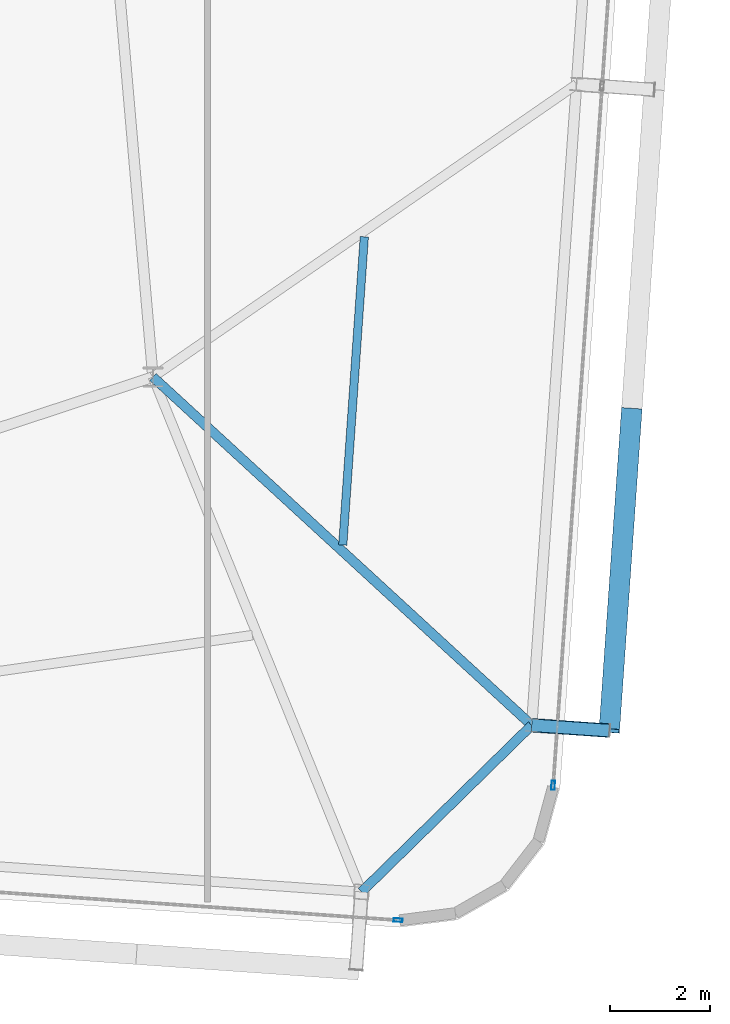
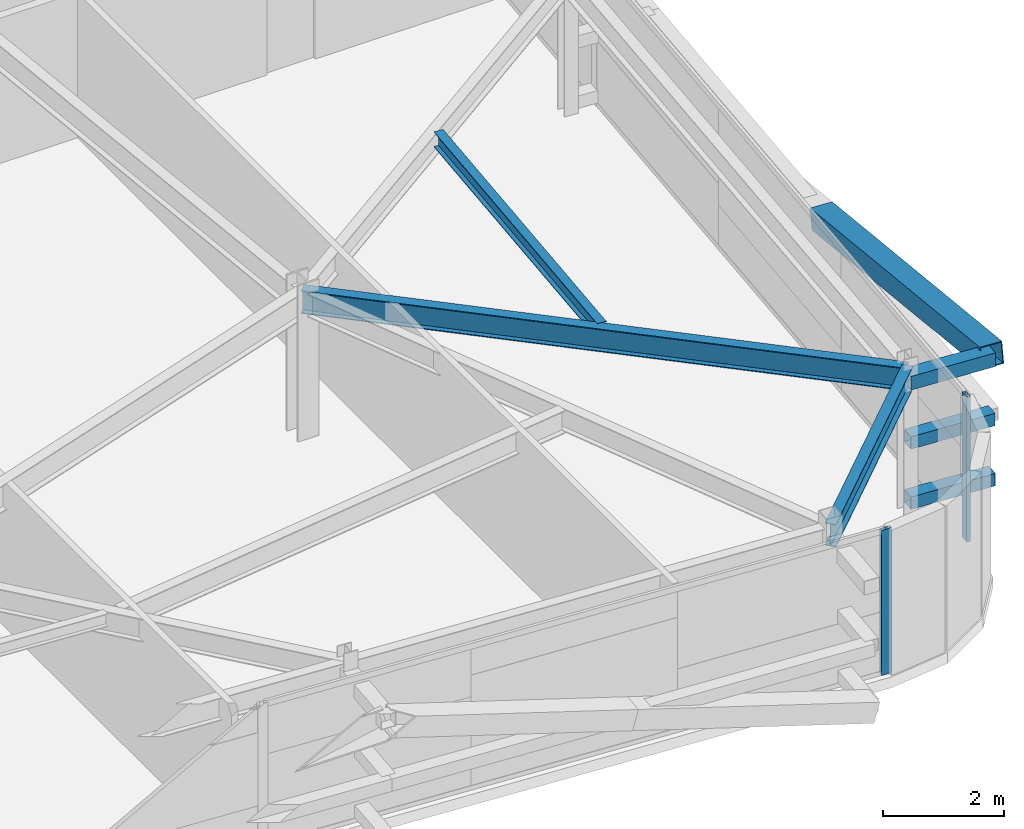
# One storey, part 15 of 39: 6 members, 3 beams, 2 elements without a shape of their own.
"""IFC4 building model written with IfcOpenShell, lengths in metres."""

from ifc_helpers import new_model, si_unit, direction, frame, origin, origin_2d, place, context, subcontext, project, spatial, hollow_rectangle, i_section, extrude, source, transform, mapped, material, layer, layer_set, material_profile, profile_set, type_object, element, aggregate, save


model = new_model("IFC4")

# Units and contexts
model_context = context("Model", 3, precision=1e-05, world=origin(), true_north=direction((0.0, 1.0)))
body_context = subcontext(model_context, "Body", "Model", "MODEL_VIEW")
ifc_project = project(units=[si_unit("LENGTHUNIT", "METRE"), si_unit("AREAUNIT", "SQUARE_METRE"), si_unit("VOLUMEUNIT", "CUBIC_METRE"), si_unit("PLANEANGLEUNIT", "RADIAN"), si_unit("MASSUNIT", "GRAM", prefix="KILO")], contexts=[model_context])

# Site, building, storey
site_placement = place(None, origin())
site = spatial("IfcSite", under=ifc_project, at=site_placement, CompositionType="ELEMENT")
building_placement = place(site_placement, origin())
building = spatial("IfcBuilding", under=site, at=building_placement, Name="Taldren Reach Tower", CompositionType="ELEMENT")
storey_placement = place(building_placement, frame((0.0, 0.0, 148.75)))
storey = spatial("IfcBuildingStorey", under=building, at=storey_placement, Name="L45", CompositionType="ELEMENT", Elevation=148.75)

# Members
ifc_material_1 = material(Name="Steel Gr 450 (C450L0)", Category="steel")
ifc_material_profile_1 = material_profile(ifc_material_1, hollow_rectangle(XDim=0.27490234375, YDim=0.27490234375, WallThickness=0.00927734375, at=origin_2d()), Name="275x275x9.3SHS")
ifc_profile_set_1 = profile_set([ifc_material_profile_1], Name="Steel Gr 450 (C450L0)")
member_type_1 = type_object("IfcMemberType", Name="MB-TIE273", PredefinedType="STRUT", material=ifc_profile_set_1)
shared_shape_1 = source(origin(), body_context, "Body", "SweptSolid", [
    extrude(hollow_rectangle(XDim=0.27490234375, YDim=0.27490234375, WallThickness=0.00927734375, at=origin_2d()), origin(), (0.0, 0.0, 1.0), 1.5498046875),
])
member_1_placement = place(storey_placement, frame((59.54541015625, 5.562744140625, 2.64990234375), z_axis=(0.997573320145, -0.069623781384, 0.0), x_axis=(0.069623781384, 0.997573320145, 0.0)))
element("IfcMember", 1, at=member_1_placement, inside=storey, type_object=member_type_1, Name="Exoskeleton diaphragm tie strut B3-E1 L45", PredefinedType="STRUT", context=body_context, shape_type="MappedRepresentation", body=[
    mapped(shared_shape_1, transform((0.0, 0.0, 0.0), scale=1.0)),
])
ifc_material_2 = material(Name="Steel Gr 350 (C350L0)", Category="steel")
ifc_material_profile_2 = material_profile(ifc_material_2, hollow_rectangle(XDim=0.25, YDim=0.25, WallThickness=0.010009765625, at=origin_2d()), Name="250x250x10.0SHS")
ifc_profile_set_2 = profile_set([ifc_material_profile_2], Name="Steel Gr 350 (C350L0)")
member_type_2 = type_object("IfcMemberType", Name="MB-POST250", PredefinedType="POST", material=ifc_profile_set_2)
shared_shape_2 = source(origin(), body_context, "Body", "SweptSolid", [
    extrude(hollow_rectangle(XDim=0.25, YDim=0.25, WallThickness=0.010009765625, at=origin_2d()), origin(), (0.0, 0.0, 1.0), 1.5498046875),
])
for number, where, z_axis, x_axis, name in (
    (2, (59.54541015625, 5.562744140625, 0.219970703125), (0.997573320145, -0.069623781384, 0.0), (0.069623781384, 0.997573320145, 0.0), "Exoskeleton base diaphragm tie strut B3-E1 L45"),
    (3, (59.54541015625, 5.562744140625, 1.43505859375), (0.997573320145, -0.069623781384, 0.0), (0.069623781384, 0.997573320145, 0.0), "Exoskeleton mid-tier diaphragm tie B3-E1 L45"),
):
    element("IfcMember", number, at=place(storey_placement, frame(where, z_axis=z_axis, x_axis=x_axis)), inside=storey, type_object=member_type_2, Name=name, PredefinedType="POST", context=body_context, shape_type="MappedRepresentation", body=[
        mapped(shared_shape_2, transform((0.0, 0.0, 0.0), scale=1.0)),
    ])

# Beams
ifc_material_3 = material(Name="Steel Gr 350 (350PLUS)", Category="steel")
ifc_material_profile_3 = material_profile(ifc_material_3, i_section(OverallWidth=0.18994140625, OverallDepth=0.4541015625, WebThickness=0.008544921875, FlangeThickness=0.0126953125, at=origin_2d()), Name="460UB67.1")
ifc_profile_set_3 = profile_set([ifc_material_profile_3], Name="Steel Gr 350 (350PLUS)")
beam_type_1 = type_object("IfcBeamType", Name="SP-UB460B", PredefinedType="SPANDREL", material=ifc_profile_set_3)
shared_shape_3 = source(origin(), body_context, "Body", "SweptSolid", [
    extrude(i_section(OverallWidth=0.18994140625, OverallDepth=0.4541015625, WebThickness=0.008544921875, FlangeThickness=0.0126953125, at=origin_2d()), origin(), (0.0, 0.0, 1.0), 4.745849609375),
])
beam_1_placement = place(storey_placement, frame((56.155517578125, 2.2412109375, 2.702880859375), z_axis=(0.714271982806, 0.699868226581, 0.0), x_axis=(-0.699868226581, 0.714271982806, 0.0)))
element("IfcBeam", 4, at=beam_1_placement, inside=storey, type_object=beam_type_1, Name="Perimeter spandrel B3 S6-E1 L45", PredefinedType="SPANDREL", context=body_context, shape_type="MappedRepresentation", body=[
    mapped(shared_shape_3, transform((0.0, 0.0, 0.0), scale=1.0)),
])
ifc_material_profile_4 = material_profile(ifc_material_3, i_section(OverallWidth=0.19091796875, OverallDepth=0.4599609375, WebThickness=0.010009765625, FlangeThickness=0.01611328125, at=origin_2d()), Name="460UB82.1")
ifc_profile_set_4 = profile_set([ifc_material_profile_4], Name="Steel Gr 350 (350PLUS)")
beam_type_2 = type_object("IfcBeamType", Name="BM-UB460A", PredefinedType="BEAM", material=ifc_profile_set_4)
shared_shape_4 = source(origin(), body_context, "Body", "SweptSolid", [
    extrude(i_section(OverallWidth=0.19091796875, OverallDepth=0.4599609375, WebThickness=0.010009765625, FlangeThickness=0.01611328125, at=origin_2d()), origin(), (0.0, 0.0, 1.0), 10.249755859375),
])
beam_2_placement = place(storey_placement, frame((52.0, 12.5, 2.699951171875), z_axis=(0.736150772628, -0.676817582483, 0.0), x_axis=(0.676817582483, 0.736150772628, 0.0)))
element("IfcBeam", 5, at=beam_2_placement, inside=storey, type_object=beam_type_2, Name="Primary floor girder B3-E1 L45", PredefinedType="BEAM", context=body_context, shape_type="MappedRepresentation", body=[
    mapped(shared_shape_4, transform((0.0, 0.0, 0.0), scale=1.0)),
])
ifc_material_4 = material(Name="Steel Gr 300 (300PLUS, 300 MPa)", Category="steel")
ifc_material_profile_5 = material_profile(ifc_material_4, i_section(OverallWidth=0.166015625, OverallDepth=0.306884765625, WebThickness=0.006591796875, FlangeThickness=0.01171875, at=origin_2d()), Name="310UB46.2")
ifc_profile_set_5 = profile_set([ifc_material_profile_5], Name="Steel Gr 300 (300PLUS, 300 MPa)")
beam_type_3 = type_object("IfcBeamType", Name="JS-UB310", PredefinedType="JOIST", material=ifc_profile_set_5)
shared_shape_5 = source(origin(), body_context, "Body", "SweptSolid", [
    extrude(i_section(OverallWidth=0.166015625, OverallDepth=0.306884765625, WebThickness=0.006591796875, FlangeThickness=0.01171875, at=origin_2d()), origin(), (0.0, 0.0, 1.0), 6.155517578125),
])
beam_3_placement = place(storey_placement, frame((55.78125, 9.1533203125, 2.776611328125), z_axis=(0.069764400024, 0.997563495969, 0.0), x_axis=(-0.997563495969, 0.069764400024, 0.0)))
element("IfcBeam", 6, at=beam_3_placement, inside=storey, type_object=beam_type_3, Name="Secondary floor joist B3 J7 L45", PredefinedType="JOIST", context=body_context, shape_type="MappedRepresentation", body=[
    mapped(shared_shape_5, transform((0.0, 0.0, 0.0), scale=1.0)),
])

# Member
ifc_material_profile_6 = material_profile(ifc_material_1, hollow_rectangle(XDim=0.409912109375, YDim=0.409912109375, WallThickness=0.01611328125, at=origin_2d()), Name="410x410x16.0SHS")
ifc_profile_set_6 = profile_set([ifc_material_profile_6], Name="Steel Gr 450 (C450L0)")
member_type_3 = type_object("IfcMemberType", Name="MB-EXO406", PredefinedType="BRACE", material=ifc_profile_set_6)
shared_shape_6 = source(origin(), body_context, "Body", "SweptSolid", [
    extrude(hollow_rectangle(XDim=0.409912109375, YDim=0.409912109375, WallThickness=0.01611328125, at=origin_2d()), origin(), (0.0, 0.0, 1.0), 6.51416015625),
])
member_2_placement = place(storey_placement, frame((61.5380859375, 11.839111328125, 1.43505859375), z_axis=(-0.068548123702, -0.980062020128, 0.186492872358), x_axis=(0.997562951496, -0.069772185021, 0.0)))
element("IfcMember", 7, at=member_2_placement, inside=storey, type_object=member_type_3, Name="Exoskeleton Diagrid Brace B3-E1 L45", PredefinedType="BRACE", context=body_context, shape_type="MappedRepresentation", body=[
    mapped(shared_shape_6, transform((0.0, 0.0, 0.0), scale=1.0)),
])

# Curtain wall, member
ifc_material_5 = material(Name="Aluminium and Low-E Glass Unitised System", Category="aluminium")
ifc_layer = layer(ifc_material_5, 0.159912109375)
ifc_layer_set = layer_set([ifc_layer], Name="Aluminium and Low-E Glass Unitised System")
curtain_wall_type = type_object("IfcCurtainWallType", Name="CW-SYS-4", PredefinedType="NOTDEFINED", material=ifc_layer_set)
curtain_wall_1_placement = place(storey_placement, origin())
curtain_wall_1 = element("IfcCurtainWall", 8, at=curtain_wall_1_placement, inside=storey, type_object=curtain_wall_type, Name="Unitised curtain wall CW-L45-S", PredefinedType="NOTDEFINED")
ifc_material_6 = material(Name="Anodised Aluminium 6063-T6", Category="aluminium")
ifc_material_profile_7 = material_profile(ifc_material_6, hollow_rectangle(XDim=0.070068359375, YDim=0.179931640625, WallThickness=0.00390625, at=origin_2d()), Name="ALU-180x70x4RHS")
ifc_profile_set_7 = profile_set([ifc_material_profile_7], Name="Anodised Aluminium 6063-T6")
member_type_4 = type_object("IfcMemberType", Name="CW-MUL-180", PredefinedType="MULLION", material=ifc_profile_set_7)
shared_shape_7 = source(origin(), body_context, "Body", "SweptSolid", [
    extrude(hollow_rectangle(XDim=0.070068359375, YDim=0.179931640625, WallThickness=0.00390625, at=origin_2d()), origin(), (0.0, 0.0, 1.0), 2.929931640625),
])
member_3_placement = place(storey_placement, frame((56.883056640625, 1.67919921875, 0.0), z_axis=(0.0, 0.0, 1.0), x_axis=(0.06975651593, 0.99756404731, 0.0)))
member_3 = element("IfcMember", 9, at=member_3_placement, type_object=member_type_4, Name="CW-4 mullion 5", PredefinedType="MULLION", context=body_context, shape_type="MappedRepresentation", body=[
    mapped(shared_shape_7, transform((0.0, 0.0, 0.0), scale=1.0)),
])
aggregate(curtain_wall_1, [member_3])

curtain_wall_2_placement = place(storey_placement, origin())
curtain_wall_2 = element("IfcCurtainWall", 10, at=curtain_wall_2_placement, inside=storey, type_object=curtain_wall_type, Name="Unitised curtain wall CW-L45-E", PredefinedType="NOTDEFINED")
member_4_placement = place(storey_placement, frame((59.972900390625, 4.365234375, 0.0), z_axis=(0.0, 0.0, 1.0), x_axis=(-0.997564052812, 0.069756437251, 0.0)))
member_4 = element("IfcMember", 11, at=member_4_placement, type_object=member_type_4, Name="CW-4 mullion 1", PredefinedType="MULLION", context=body_context, shape_type="MappedRepresentation", body=[
    mapped(shared_shape_7, transform((0.0, 0.0, 0.0), scale=1.0)),
])
aggregate(curtain_wall_2, [member_4])

save(model, "model.ifc")
